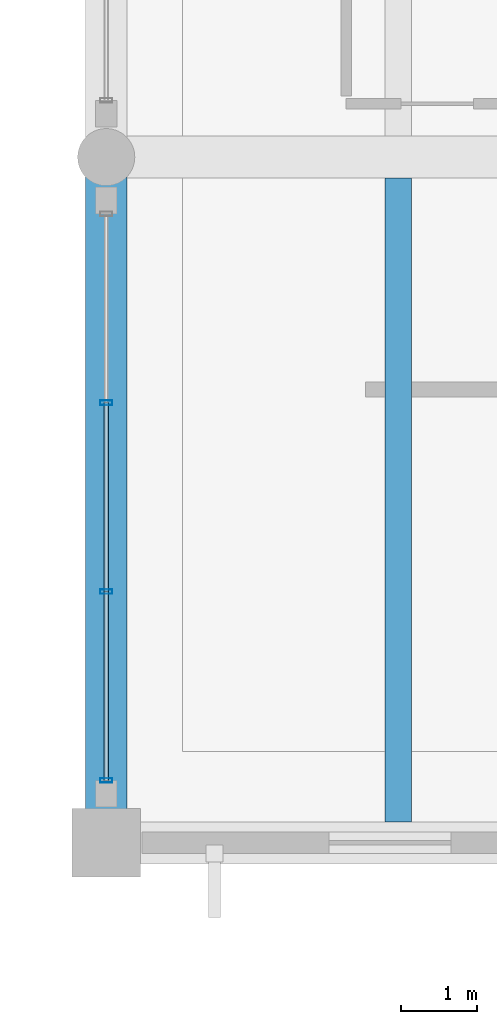
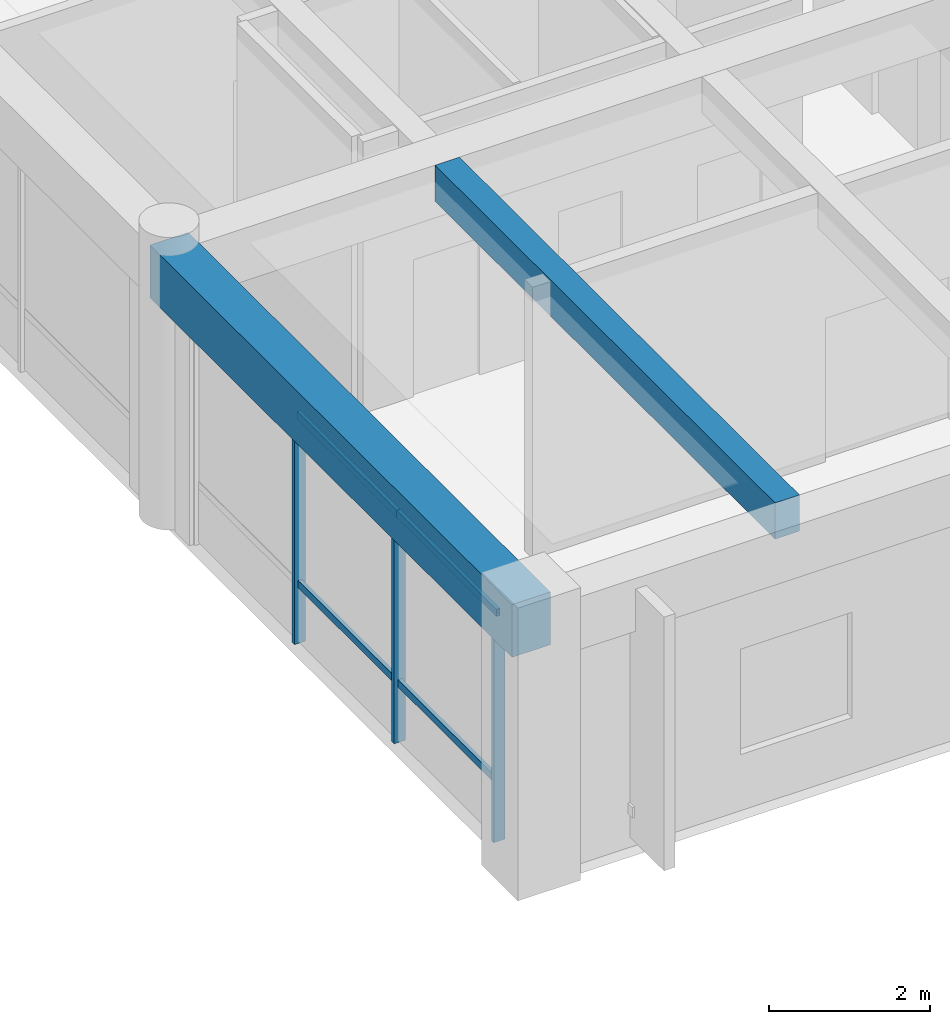
# One storey, part 2 of 27: 7 members, 2 beams, 1 element without a shape of its own.
"""IFC4 building model written with IfcOpenShell, lengths in metres."""

from ifc_helpers import new_model, si_unit, direction, frame, origin, origin_2d, place, context, subcontext, project, spatial, rectangle, hollow_rectangle, extrude, material, material_profile, profile_set, type_object, element, aggregate, save


model = new_model("IFC4")

# Units and contexts
model_context = context("Model", 3, precision=1e-05, world=origin(), true_north=direction((0.0, 1.0)))
body_context = subcontext(model_context, "Body", "Model", "MODEL_VIEW")
ifc_project = project(units=[si_unit("LENGTHUNIT", "METRE"), si_unit("AREAUNIT", "SQUARE_METRE"), si_unit("VOLUMEUNIT", "CUBIC_METRE"), si_unit("PLANEANGLEUNIT", "RADIAN"), si_unit("MASSUNIT", "GRAM", prefix="KILO")], contexts=[model_context])

# Site, building, storey
site_placement = place(None, origin())
site = spatial("IfcSite", under=ifc_project, at=site_placement, CompositionType="ELEMENT")
building_placement = place(site_placement, origin())
building = spatial("IfcBuilding", under=site, at=building_placement, Name="Ologun Quay Terminus", CompositionType="ELEMENT")
storey_placement = place(building_placement, frame((0.0, 0.0, 22.4599609375)))
storey = spatial("IfcBuildingStorey", under=building, at=storey_placement, Name="L05", CompositionType="ELEMENT", Elevation=22.4599609375)

# Curtain wall, members
ifc_material_1 = material(Name="Aluminium 6063-T6", Category="aluminium")
curtain_wall_type = type_object("IfcCurtainWallType", Name="Operations Wing Canteen Curtain Wall L05 10600x4050", PredefinedType="USERDEFINED", material=ifc_material_1)
curtain_wall_placement = place(storey_placement, origin())
curtain_wall = element("IfcCurtainWall", 1, at=curtain_wall_placement, inside=storey, type_object=curtain_wall_type, Name="CW-28 Curtain Wall CW-L05-156", ObjectType="UNITISED CURTAIN WALL", PredefinedType="USERDEFINED")
ifc_material_2 = material(Name="Aluminium 6063-T6", Category="aluminium")
ifc_material_profile_1 = material_profile(ifc_material_2, hollow_rectangle(XDim=0.06005859375, YDim=0.159912109375, WallThickness=0.00390625, at=origin_2d()), Name="ALU 160x60x4")
ifc_profile_set_1 = profile_set([ifc_material_profile_1], Name="Aluminium 6063-T6")
member_type_1 = type_object("IfcMemberType", Name="Courtyard Screen Mullion 160x65", PredefinedType="MULLION", material=ifc_profile_set_1)
member_1_placement = place(storey_placement, frame((115.0, 86.6201171875, 0.0), z_axis=(0.0, 0.0, 1.0), x_axis=(0.0, 1.0, 0.0)))
member_1 = element("IfcMember", 2, at=member_1_placement, type_object=member_type_1, Name="CW-L05-156 Mullion 1", PredefinedType="MULLION", context=body_context, shape_type="SweptSolid", body=[
    extrude(hollow_rectangle(XDim=0.06005859375, YDim=0.159912109375, WallThickness=0.00390625, at=origin_2d()), origin(), (0.0, 0.0, 1.0), 4.150146484375),
])
member_2_placement = place(storey_placement, frame((115.0, 89.098388671875, 0.0), z_axis=(0.0, 0.0, 1.0), x_axis=(0.0, 1.0, 0.0)))
member_2 = element("IfcMember", 3, at=member_2_placement, type_object=member_type_1, Name="CW-L05-156 Mullion 2", PredefinedType="MULLION", context=body_context, shape_type="SweptSolid", body=[
    extrude(hollow_rectangle(XDim=0.06005859375, YDim=0.159912109375, WallThickness=0.00390625, at=origin_2d()), origin(), (0.0, 0.0, 1.0), 4.150146484375),
])
member_3_placement = place(storey_placement, frame((115.0, 91.57666015625, 0.0), z_axis=(0.0, 0.0, 1.0), x_axis=(0.0, 1.0, 0.0)))
member_3 = element("IfcMember", 4, at=member_3_placement, type_object=member_type_1, Name="CW-L05-156 Mullion 3", PredefinedType="MULLION", context=body_context, shape_type="SweptSolid", body=[
    extrude(hollow_rectangle(XDim=0.06005859375, YDim=0.159912109375, WallThickness=0.00390625, at=origin_2d()), origin(), (0.0, 0.0, 1.0), 4.150146484375),
])
ifc_material_3 = material(Name="Aluminium 6063-T6", Category="aluminium")
ifc_material_profile_2 = material_profile(ifc_material_3, hollow_rectangle(XDim=0.054931640625, YDim=0.110107421875, WallThickness=0.00390625, at=origin_2d()), Name="ALU 110x55x4")
ifc_profile_set_2 = profile_set([ifc_material_profile_2], Name="Aluminium 6063-T6")
member_type_2 = type_object("IfcMemberType", Name="Courtyard Screen Transom 110x55", PredefinedType="USERDEFINED", material=ifc_profile_set_2)
member_4_placement = place(storey_placement, frame((115.0, 86.6201171875, 0.900146484375), z_axis=(0.0, 1.0, 0.0), x_axis=(-1.0, 0.0, 0.0)))
member_4 = element("IfcMember", 5, at=member_4_placement, type_object=member_type_2, Name="CW-L05-156 Transom B1-1", ObjectType="TRANSOM", PredefinedType="USERDEFINED", context=body_context, shape_type="SweptSolid", body=[
    extrude(hollow_rectangle(XDim=0.054931640625, YDim=0.110107421875, WallThickness=0.00390625, at=origin_2d()), origin(), (0.0, 0.0, 1.0), 2.478271484375),
])
member_5_placement = place(storey_placement, frame((115.0, 86.6201171875, 3.449951171875), z_axis=(0.0, 1.0, 0.0), x_axis=(-1.0, 0.0, 0.0)))
member_5 = element("IfcMember", 6, at=member_5_placement, type_object=member_type_2, Name="CW-L05-156 Transom B1-2", ObjectType="TRANSOM", PredefinedType="USERDEFINED", context=body_context, shape_type="SweptSolid", body=[
    extrude(hollow_rectangle(XDim=0.054931640625, YDim=0.110107421875, WallThickness=0.00390625, at=origin_2d()), origin(), (0.0, 0.0, 1.0), 2.478271484375),
])
member_6_placement = place(storey_placement, frame((115.0, 89.098388671875, 0.900146484375), z_axis=(0.0, 1.0, 0.0), x_axis=(-1.0, 0.0, 0.0)))
member_6 = element("IfcMember", 7, at=member_6_placement, type_object=member_type_2, Name="CW-L05-156 Transom B2-1", ObjectType="TRANSOM", PredefinedType="USERDEFINED", context=body_context, shape_type="SweptSolid", body=[
    extrude(hollow_rectangle(XDim=0.054931640625, YDim=0.110107421875, WallThickness=0.00390625, at=origin_2d()), origin(), (0.0, 0.0, 1.0), 2.478271484375),
])
member_7_placement = place(storey_placement, frame((115.0, 89.098388671875, 3.449951171875), z_axis=(0.0, 1.0, 0.0), x_axis=(-1.0, 0.0, 0.0)))
member_7 = element("IfcMember", 8, at=member_7_placement, type_object=member_type_2, Name="CW-L05-156 Transom B2-2", ObjectType="TRANSOM", PredefinedType="USERDEFINED", context=body_context, shape_type="SweptSolid", body=[
    extrude(hollow_rectangle(XDim=0.054931640625, YDim=0.110107421875, WallThickness=0.00390625, at=origin_2d()), origin(), (0.0, 0.0, 1.0), 2.478271484375),
])
aggregate(curtain_wall, [member_1, member_2, member_3, member_4, member_5, member_6, member_7])

# Beams
ifc_material_4 = material(Name="Concrete C40/50", Category="concrete")
ifc_material_profile_3 = material_profile(ifc_material_4, rectangle(XDim=0.550048828125, YDim=0.800048828125, at=origin_2d()), Name="RC 550x800")
ifc_profile_set_3 = profile_set([ifc_material_profile_3], Name="Concrete C40/50")
beam_type_1 = type_object("IfcBeamType", Name="Courtyard Wing Primary Girder 550x800", PredefinedType="BEAM", material=ifc_profile_set_3)
beam_1_placement = place(storey_placement, frame((115.0, 85.800048828125, 3.760009765625), z_axis=(0.0, 1.0, 0.0), x_axis=(-1.0, 0.0, 0.0)))
element("IfcBeam", 9, at=beam_1_placement, inside=storey, type_object=beam_type_1, Name="B4 Beam 11/G2 L05", PredefinedType="BEAM", context=body_context, shape_type="SweptSolid", body=[
    extrude(rectangle(XDim=0.550048828125, YDim=0.800048828125, at=origin_2d()), origin(), (0.0, 0.0, 1.0), 9.0),
])
ifc_material_5 = material(Name="Concrete C40/50", Category="concrete")
ifc_material_profile_4 = material_profile(ifc_material_5, rectangle(XDim=0.35009765625, YDim=0.550048828125, at=origin_2d()), Name="RC 350x550")
ifc_profile_set_4 = profile_set([ifc_material_profile_4], Name="Concrete C40/50")
beam_type_2 = type_object("IfcBeamType", Name="Courtyard Wing Secondary Joist 350x550", PredefinedType="JOIST", material=ifc_profile_set_4)
beam_2_placement = place(storey_placement, frame((118.833251953125, 86.074951171875, 3.885009765625), z_axis=(0.0, 1.0, 0.0), x_axis=(-1.0, 0.0, 0.0)))
element("IfcBeam", 10, at=beam_2_placement, inside=storey, type_object=beam_type_2, Name="J2 Beam 11/G2 L05", PredefinedType="JOIST", context=body_context, shape_type="SweptSolid", body=[
    extrude(rectangle(XDim=0.35009765625, YDim=0.550048828125, at=origin_2d()), origin(), (0.0, 0.0, 1.0), 8.449951171875),
])

save(model, "model.ifc")
